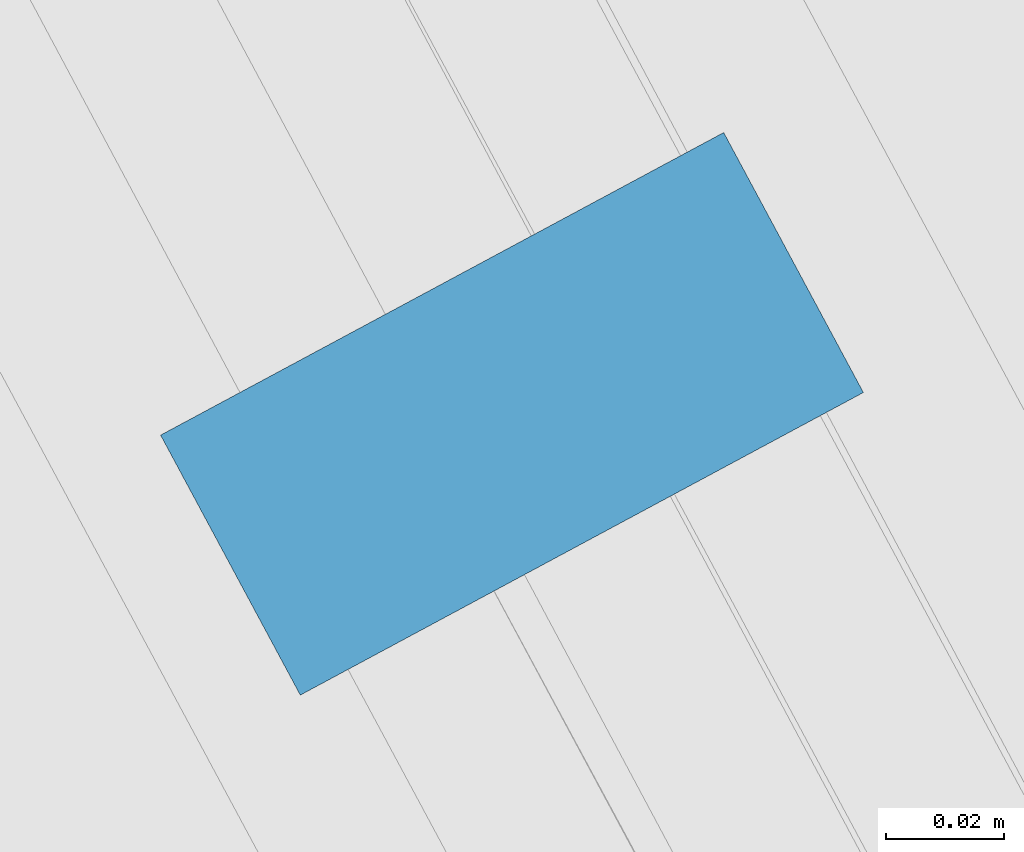
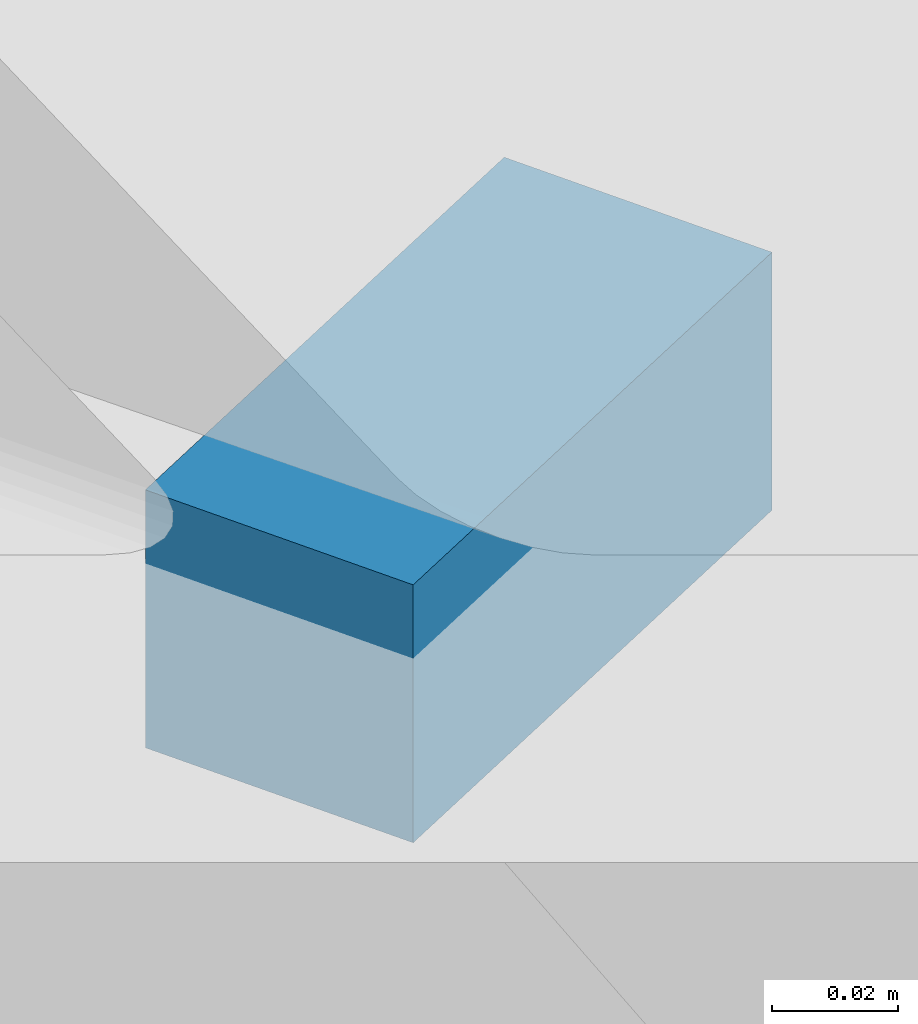
# One storey, part 30 of 35: 1 discrete accessory, 1 element without a shape of its own.
"""IFC4 building model written with IfcOpenShell, lengths in metres."""

from ifc_helpers import new_model, si_unit, direction, frame, origin, origin_2d, place, context, subcontext, project, spatial, rectangle, extrude, material, layer, layer_set, type_object, element, aggregate, save


model = new_model("IFC4")

# Units and contexts
model_context = context("Model", 3, precision=1e-05, world=origin(), true_north=direction((0.0, 1.0)))
body_context = subcontext(model_context, "Body", "Model", "MODEL_VIEW")
ifc_project = project(units=[si_unit("LENGTHUNIT", "METRE"), si_unit("AREAUNIT", "SQUARE_METRE"), si_unit("VOLUMEUNIT", "CUBIC_METRE"), si_unit("PLANEANGLEUNIT", "RADIAN"), si_unit("MASSUNIT", "GRAM", prefix="KILO")], contexts=[model_context])

# Site, building, storey
site_placement = place(None, origin())
site = spatial("IfcSite", under=ifc_project, at=site_placement, CompositionType="ELEMENT")
building_placement = place(site_placement, origin())
building = spatial("IfcBuilding", under=site, at=building_placement, Name="Mestral Congress Tower", CompositionType="ELEMENT")
storey_placement = place(building_placement, frame((0.0, 0.0, 196.199951171875)))
storey = spatial("IfcBuildingStorey", under=building, at=storey_placement, Name="L46", CompositionType="ELEMENT", Elevation=196.199951171875)

# Curtain wall, discrete accessory
ifc_material_1 = material(Name="Clear low-emissivity double glazing", Category="glass")
curtain_wall_type = type_object("IfcCurtainWallType", Name="Facade refuge band screen", PredefinedType="USERDEFINED", material=ifc_material_1)
curtain_wall_placement = place(storey_placement, origin())
curtain_wall = element("IfcCurtainWall", 1, at=curtain_wall_placement, inside=storey, type_object=curtain_wall_type, Name="Facade refuge band screen face 2", ObjectType="CURTAIN WALL", PredefinedType="USERDEFINED")
ifc_material_2 = material(Name="Steel S355", Category="steel")
ifc_layer = layer(ifc_material_2, 0.050048828125)
ifc_layer_set = layer_set([ifc_layer], Name="Steel S355")
discrete_accessory_type = type_object("IfcDiscreteAccessoryType", Name="Facade bracket", PredefinedType="BRACKET", material=ifc_layer_set)
discrete_accessory_placement = place(storey_placement, frame((18.74169921875, 6.41259765625, 3.9130859375), z_axis=(0.0, 0.0, 1.0), x_axis=(-0.473336578986, 0.880881650958, 0.0)))
discrete_accessory = element("IfcDiscreteAccessory", 2, at=discrete_accessory_placement, type_object=discrete_accessory_type, Name="Facade bracket", PredefinedType="BRACKET", context=body_context, shape_type="SweptSolid", body=[
    extrude(rectangle(XDim=0.050048828125, YDim=0.1083984375, at=origin_2d()), origin(), (0.0, 0.0, 1.0), 0.050048828125),
])
aggregate(curtain_wall, [discrete_accessory])

save(model, "model.ifc")
